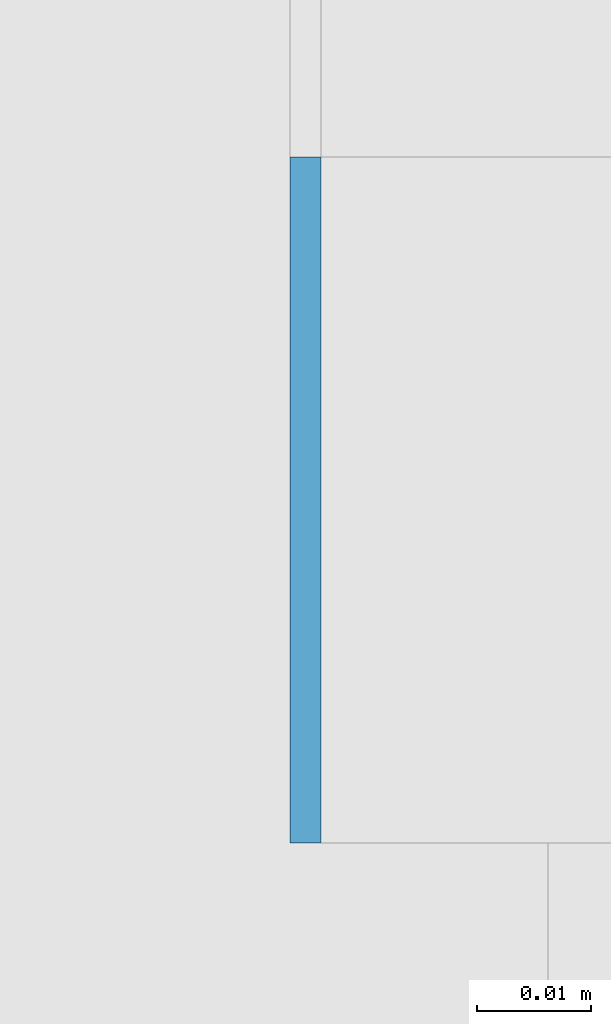
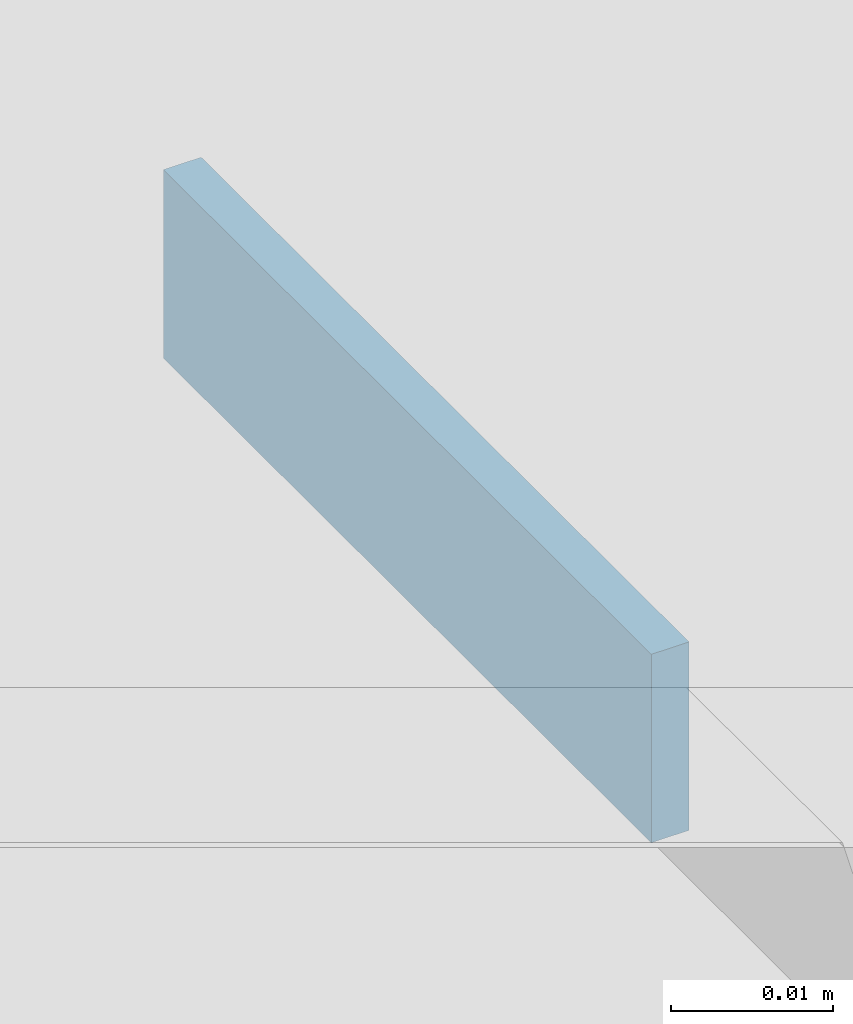
# One storey, part 539 of 646: 1 discrete accessory.
"""IFC4 building model written with IfcOpenShell, lengths in metres."""

import ifcopenshell
import ifcopenshell.guid

model = None  # the IFC model being written
_history = None  # IfcOwnerHistory: only IFC2X3 demands one
_inside = {}  # id of a spatial element -> (the spatial element, [elements in it])
_under = {}  # id of a project, library or spatial element -> (it, [spatial elements below it])
_declared = {}  # id of a project -> (the project, [libraries it declares])
_typed = {}  # id of a type object -> (the type object, [elements of that type])
_made_of = {}  # id of a material, layer set ... -> (it, [elements and type objects made of it])


def new_model(schema):
    """Start an empty IFC model of exactly this schema.

    Asked for "IFC4X3", IfcOpenShell would pick the latest addendum, in which some entities
    have other attributes; the version numbers below select the first issue.
    IFC2X3 requires an IfcOwnerHistory on every rooted entity: one is made here for all.
    """
    global model, _history
    if schema == "IFC4X3":
        model = ifcopenshell.file(schema_version=(4, 3, 0, 0))
    else:
        model = ifcopenshell.file(schema=schema)
    _inside.clear()
    _under.clear()
    _declared.clear()
    _typed.clear()
    _made_of.clear()
    _history = None
    if model.schema == "IFC2X3":
        org = make("IfcOrganization", Name="unknown")
        user = make(
            "IfcPersonAndOrganization",
            ThePerson=make("IfcPerson", FamilyName="unknown"),
            TheOrganization=org,
        )
        app = make(
            "IfcApplication",
            ApplicationDeveloper=org,
            Version="unknown",
            ApplicationFullName="unknown",
            ApplicationIdentifier="unknown",
        )
        _history = make(
            "IfcOwnerHistory",
            OwningUser=user,
            OwningApplication=app,
            ChangeAction="ADDED",
            CreationDate=0,
        )
    return model


def make(cls, **values):
    """One entity of the class cls with the attributes given. An attribute that is None is left unset."""
    return model.create_entity(
        cls, **{name: value for name, value in values.items() if value is not None}
    )


def rooted(cls, **values):
    """An entity with a GlobalId (a new one), such as an element, a storey or a relation."""
    return make(cls, GlobalId=ifcopenshell.guid.new(), OwnerHistory=_history, **values)


def si_unit(unit_type, name, prefix=None):
    """IfcSIUnit, for example si_unit("LENGTHUNIT", "METRE", prefix="MILLI")."""
    return make("IfcSIUnit", UnitType=unit_type, Prefix=prefix, Name=name)


def assignment(units):
    """IfcUnitAssignment: the units of a project."""
    return None if units is None else make("IfcUnitAssignment", Units=units)


def point(xyz):
    """IfcCartesianPoint."""
    return None if xyz is None else make("IfcCartesianPoint", Coordinates=xyz)


def direction(xyz):
    """IfcDirection."""
    return None if xyz is None else make("IfcDirection", DirectionRatios=xyz)


def frame(location, z_axis=None, x_axis=None):
    """IfcAxis2Placement3D, a coordinate frame: its origin and axes. An axis left out is left unset."""
    return make(
        "IfcAxis2Placement3D",
        Location=point(location),
        Axis=direction(z_axis),
        RefDirection=direction(x_axis),
    )


def frame_2d(location, x_axis=None):
    """IfcAxis2Placement2D, a coordinate frame in the plane: its origin and x axis."""
    return make(
        "IfcAxis2Placement2D", Location=point(location), RefDirection=direction(x_axis)
    )


def origin():
    """The frame at (0, 0, 0) with its axes left unset."""
    return frame((0.0, 0.0, 0.0))


def origin_2d():
    """The frame at (0, 0) in the plane with its x axis left unset."""
    return frame_2d((0.0, 0.0))


def place(relative_to, where):
    """IfcLocalPlacement: puts the frame where relative to a parent placement (None: the world)."""
    return make(
        "IfcLocalPlacement", PlacementRelTo=relative_to, RelativePlacement=where
    )


def context(
    kind, dimensions, precision=None, world=None, true_north=None, identifier=None
):
    """IfcGeometricRepresentationContext, for example the 3D "Model" context."""
    return make(
        "IfcGeometricRepresentationContext",
        ContextIdentifier=identifier,
        ContextType=kind,
        CoordinateSpaceDimension=dimensions,
        Precision=precision,
        WorldCoordinateSystem=world,
        TrueNorth=true_north,
    )


def subcontext(parent, identifier, kind, view, scale=None):
    """IfcGeometricRepresentationSubContext, for example "Body" below "Model"."""
    return make(
        "IfcGeometricRepresentationSubContext",
        ContextIdentifier=identifier,
        ContextType=kind,
        ParentContext=parent,
        TargetScale=scale,
        TargetView=view,
    )


def project(units=None, contexts=None):
    """IfcProject with its units and contexts."""
    return rooted(
        "IfcProject",
        Name="project",
        RepresentationContexts=contexts,
        UnitsInContext=assignment(units),
    )


def spatial(cls, under=None, at=None, **own):
    """A site, building, storey or space (cls), placed at a placement, below another one or the project."""
    s = rooted(cls, ObjectPlacement=at, **own)
    if under is not None:
        _under.setdefault(under.id(), (under, []))[1].append(s)
    return s


def profile(cls, at=None, kind="AREA", **sizes):
    """A parametric profile (cls). Its sizes go by their IFC names, for example OverallWidth=200.0."""
    return make(cls, ProfileType=kind, Position=at, **sizes)


def rectangle(**sizes):
    """IfcRectangleProfileDef."""
    return profile("IfcRectangleProfileDef", **sizes)


def extrude(swept, where, along, depth):
    """IfcExtrudedAreaSolid: the profile swept, set in the frame where, extruded along a direction by depth."""
    return make(
        "IfcExtrudedAreaSolid",
        SweptArea=swept,
        Position=where,
        ExtrudedDirection=direction(along),
        Depth=depth,
    )


def shape(context_of_items, identifier, shape_type, items):
    """IfcShapeRepresentation: the items that make up one representation, for example the "Body"."""
    return make(
        "IfcShapeRepresentation",
        ContextOfItems=context_of_items,
        RepresentationIdentifier=identifier,
        RepresentationType=shape_type,
        Items=items,
    )


def material(Name=None, Category=None):
    """IfcMaterial."""
    return make("IfcMaterial", Name=Name, Category=Category)


def made_of(thing, what):
    """Note that an element or type object is made of a material, layer set ...; save() writes the relation."""
    if what is not None:
        _made_of.setdefault(what.id(), (what, []))[1].append(thing)
    return thing


def type_object(cls, material=None, **own):
    """A type object (cls), such as IfcWallType, which elements share."""
    return made_of(rooted(cls, **own), material)


def element(
    cls,
    number,
    at=None,
    inside=None,
    cuts=None,
    type_object=None,
    material=None,
    context=None,
    identifier="Body",
    shape_type=None,
    held_by="IfcProductDefinitionShape",
    body=None,
    shapes=None,
    **own,
):
    """One element of the class cls, such as IfcWall. Its Tag is "e" and its number.

    at: its placement. inside: the storey or other place that contains it. cuts: it is an
    opening in that element (IfcRelVoidsElement). A single representation is given by context,
    identifier, shape_type and body (its items); several are given by shapes. held_by: the class
    of the entity that holds the representations. save() writes the other relations.
    """
    e = rooted(cls, Tag="e%d" % number, ObjectPlacement=at, **own)
    if body is not None:
        shapes = [shape(context, identifier, shape_type, body)]
    if shapes is not None:
        e.Representation = make(held_by, Representations=shapes)
    if inside is not None:
        _inside.setdefault(inside.id(), (inside, []))[1].append(e)
    if cuts is not None:
        rooted(
            "IfcRelVoidsElement", RelatingBuildingElement=cuts, RelatedOpeningElement=e
        )
    if type_object is not None:
        _typed.setdefault(type_object.id(), (type_object, []))[1].append(e)
    return made_of(e, material)


def aggregate(whole, parts):
    """IfcRelAggregates: a whole, such as a stair, and the parts it consists of."""
    return rooted("IfcRelAggregates", RelatingObject=whole, RelatedObjects=parts)


def save(model, path):
    """Write the relations noted so far, then the file.

    IfcRelAggregates (storeys below a building ...), IfcRelContainedInSpatialStructure (elements
    in a storey), IfcRelDefinesByType, IfcRelAssociatesMaterial and IfcRelDeclares: one each for
    every whole, place, type object, material and project.
    """
    for whole, parts in _under.values():
        aggregate(whole, parts)
    for where, things in _inside.values():
        rooted(
            "IfcRelContainedInSpatialStructure",
            RelatedElements=things,
            RelatingStructure=where,
        )
    for kind, things in _typed.values():
        rooted("IfcRelDefinesByType", RelatedObjects=things, RelatingType=kind)
    for what, things in _made_of.values():
        rooted("IfcRelAssociatesMaterial", RelatedObjects=things, RelatingMaterial=what)
    for by, libraries in _declared.values():
        rooted("IfcRelDeclares", RelatingContext=by, RelatedDefinitions=libraries)
    model.write(path)


model = new_model("IFC4")

# Units and contexts
model_context = context("Model", 3, precision=1e-05, world=origin(), true_north=direction((0.0, 1.0)))
body_context = subcontext(model_context, "Body", "Model", "MODEL_VIEW")
ifc_project = project(units=[si_unit("LENGTHUNIT", "METRE"), si_unit("AREAUNIT", "SQUARE_METRE"), si_unit("VOLUMEUNIT", "CUBIC_METRE"), si_unit("PLANEANGLEUNIT", "RADIAN"), si_unit("MASSUNIT", "GRAM", prefix="KILO")], contexts=[model_context])

# Site, building, storey
site_placement = place(None, origin())
site = spatial("IfcSite", under=ifc_project, at=site_placement, CompositionType="ELEMENT")
building_placement = place(site_placement, origin())
building = spatial("IfcBuilding", under=site, at=building_placement, Name="Silverbay Arena", CompositionType="ELEMENT")
storey_placement = place(building_placement, frame((0.0, 0.0, 33.5)))
storey = spatial("IfcBuildingStorey", under=building, at=storey_placement, Name="L05", CompositionType="ELEMENT", Elevation=33.5)

# Discrete accessory
ifc_material = material(Name="Steel S355", Category="steel")
discrete_accessory_type = type_object("IfcDiscreteAccessoryType", Name="Steel bracket plate", PredefinedType="BRACKET", material=ifc_material)
discrete_accessory_placement = place(storey_placement, frame((207.128662109375, 89.969970703125, 12.98583984375), z_axis=(0.0, 0.0, 1.0), x_axis=(1.0, 0.0, 0.0)))
element("IfcDiscreteAccessory", 1, at=discrete_accessory_placement, inside=storey, type_object=discrete_accessory_type, Name="Curtain wall packing plate", PredefinedType="BRACKET", context=body_context, shape_type="SweptSolid", body=[
    extrude(rectangle(XDim=0.002685546875, YDim=0.06005859375, at=origin_2d()), origin(), (0.0, 0.0, 1.0), 0.01416015625),
])

save(model, "model.ifc")
